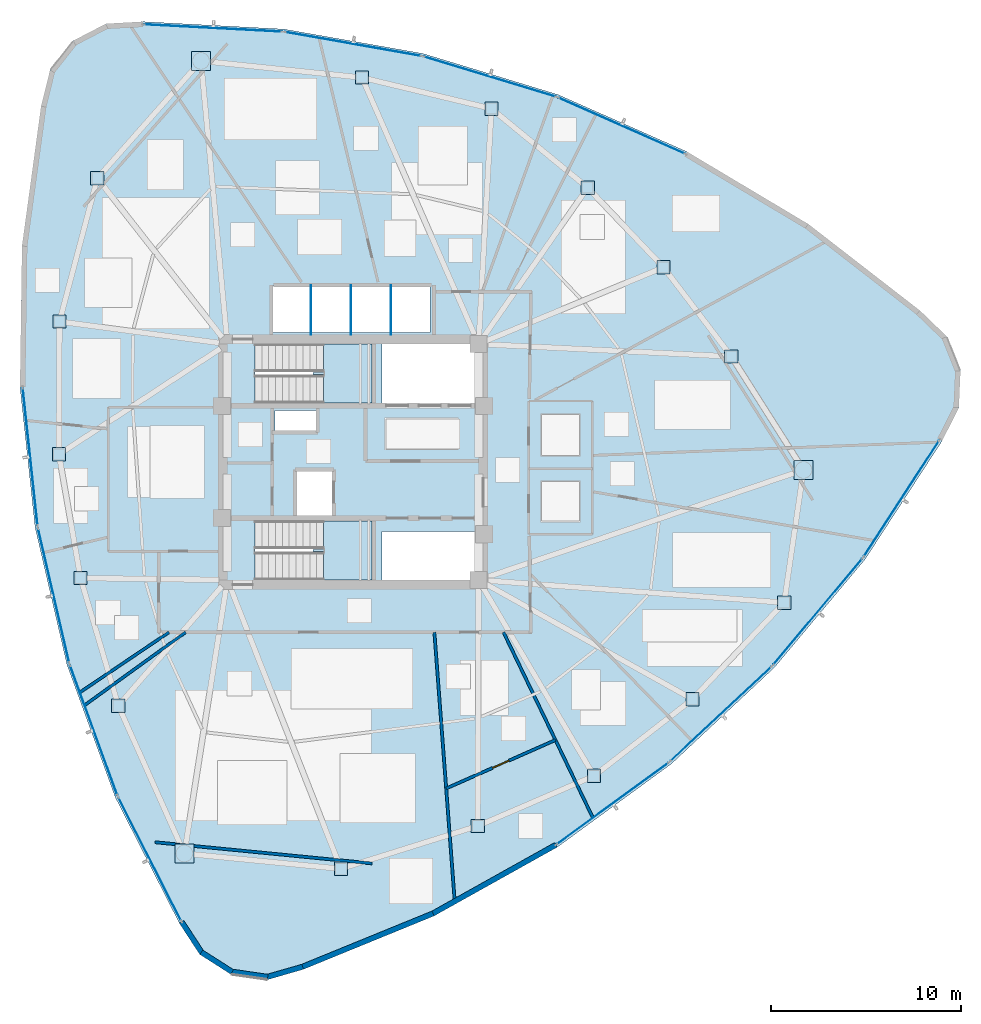
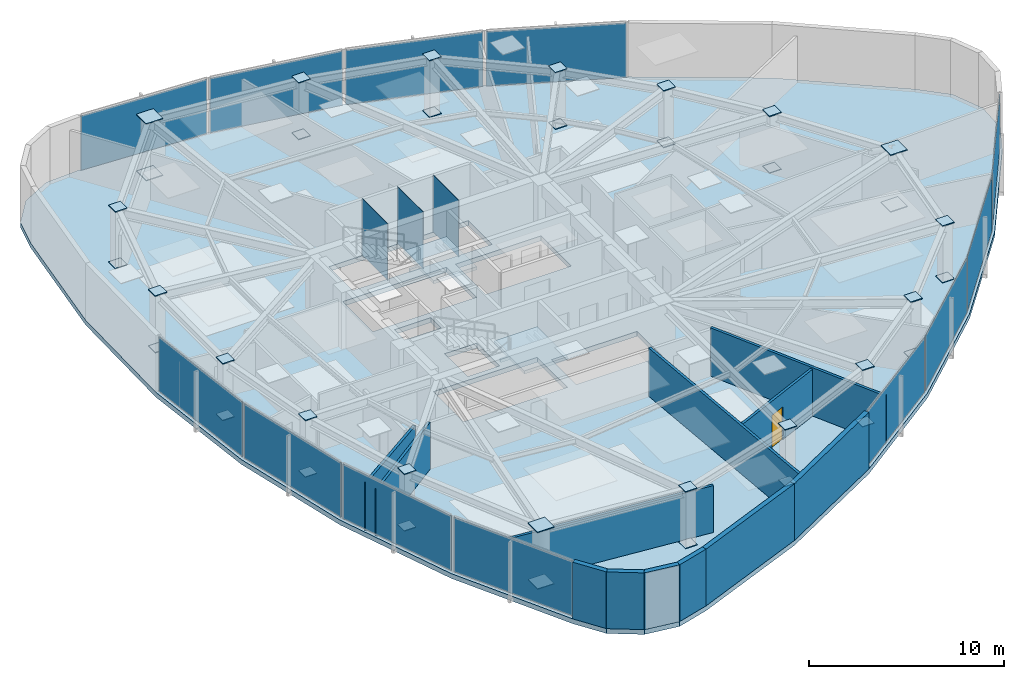
# One storey, part 10 of 17: 51 plates, 12 walls, 3 slabs, 1 door, 1 opening, 14 elements without a shape of their own.
"""IFC4 building model written with IfcOpenShell, lengths in metres."""

import ifcopenshell
import ifcopenshell.guid

model = None  # the IFC model being written
_history = None  # IfcOwnerHistory: only IFC2X3 demands one
_inside = {}  # id of a spatial element -> (the spatial element, [elements in it])
_under = {}  # id of a project, library or spatial element -> (it, [spatial elements below it])
_declared = {}  # id of a project -> (the project, [libraries it declares])
_typed = {}  # id of a type object -> (the type object, [elements of that type])
_made_of = {}  # id of a material, layer set ... -> (it, [elements and type objects made of it])


def new_model(schema):
    """Start an empty IFC model of exactly this schema.

    Asked for "IFC4X3", IfcOpenShell would pick the latest addendum, in which some entities
    have other attributes; the version numbers below select the first issue.
    IFC2X3 requires an IfcOwnerHistory on every rooted entity: one is made here for all.
    """
    global model, _history
    if schema == "IFC4X3":
        model = ifcopenshell.file(schema_version=(4, 3, 0, 0))
    else:
        model = ifcopenshell.file(schema=schema)
    _inside.clear()
    _under.clear()
    _declared.clear()
    _typed.clear()
    _made_of.clear()
    _history = None
    if model.schema == "IFC2X3":
        org = make("IfcOrganization", Name="unknown")
        user = make(
            "IfcPersonAndOrganization",
            ThePerson=make("IfcPerson", FamilyName="unknown"),
            TheOrganization=org,
        )
        app = make(
            "IfcApplication",
            ApplicationDeveloper=org,
            Version="unknown",
            ApplicationFullName="unknown",
            ApplicationIdentifier="unknown",
        )
        _history = make(
            "IfcOwnerHistory",
            OwningUser=user,
            OwningApplication=app,
            ChangeAction="ADDED",
            CreationDate=0,
        )
    return model


def make(cls, **values):
    """One entity of the class cls with the attributes given. An attribute that is None is left unset."""
    return model.create_entity(
        cls, **{name: value for name, value in values.items() if value is not None}
    )


def rooted(cls, **values):
    """An entity with a GlobalId (a new one), such as an element, a storey or a relation."""
    return make(cls, GlobalId=ifcopenshell.guid.new(), OwnerHistory=_history, **values)


def si_unit(unit_type, name, prefix=None):
    """IfcSIUnit, for example si_unit("LENGTHUNIT", "METRE", prefix="MILLI")."""
    return make("IfcSIUnit", UnitType=unit_type, Prefix=prefix, Name=name)


def assignment(units):
    """IfcUnitAssignment: the units of a project."""
    return None if units is None else make("IfcUnitAssignment", Units=units)


def point(xyz):
    """IfcCartesianPoint."""
    return None if xyz is None else make("IfcCartesianPoint", Coordinates=xyz)


def direction(xyz):
    """IfcDirection."""
    return None if xyz is None else make("IfcDirection", DirectionRatios=xyz)


def frame(location, z_axis=None, x_axis=None):
    """IfcAxis2Placement3D, a coordinate frame: its origin and axes. An axis left out is left unset."""
    return make(
        "IfcAxis2Placement3D",
        Location=point(location),
        Axis=direction(z_axis),
        RefDirection=direction(x_axis),
    )


def frame_2d(location, x_axis=None):
    """IfcAxis2Placement2D, a coordinate frame in the plane: its origin and x axis."""
    return make(
        "IfcAxis2Placement2D", Location=point(location), RefDirection=direction(x_axis)
    )


def origin():
    """The frame at (0, 0, 0) with its axes left unset."""
    return frame((0.0, 0.0, 0.0))


def origin_2d():
    """The frame at (0, 0) in the plane with its x axis left unset."""
    return frame_2d((0.0, 0.0))


def place(relative_to, where):
    """IfcLocalPlacement: puts the frame where relative to a parent placement (None: the world)."""
    return make(
        "IfcLocalPlacement", PlacementRelTo=relative_to, RelativePlacement=where
    )


def context(
    kind, dimensions, precision=None, world=None, true_north=None, identifier=None
):
    """IfcGeometricRepresentationContext, for example the 3D "Model" context."""
    return make(
        "IfcGeometricRepresentationContext",
        ContextIdentifier=identifier,
        ContextType=kind,
        CoordinateSpaceDimension=dimensions,
        Precision=precision,
        WorldCoordinateSystem=world,
        TrueNorth=true_north,
    )


def subcontext(parent, identifier, kind, view, scale=None):
    """IfcGeometricRepresentationSubContext, for example "Body" below "Model"."""
    return make(
        "IfcGeometricRepresentationSubContext",
        ContextIdentifier=identifier,
        ContextType=kind,
        ParentContext=parent,
        TargetScale=scale,
        TargetView=view,
    )


def project(units=None, contexts=None):
    """IfcProject with its units and contexts."""
    return rooted(
        "IfcProject",
        Name="project",
        RepresentationContexts=contexts,
        UnitsInContext=assignment(units),
    )


def spatial(cls, under=None, at=None, **own):
    """A site, building, storey or space (cls), placed at a placement, below another one or the project."""
    s = rooted(cls, ObjectPlacement=at, **own)
    if under is not None:
        _under.setdefault(under.id(), (under, []))[1].append(s)
    return s


def polyline(points):
    """IfcPolyline through the points."""
    return make("IfcPolyline", Points=[point(p) for p in points])


def profile(cls, at=None, kind="AREA", **sizes):
    """A parametric profile (cls). Its sizes go by their IFC names, for example OverallWidth=200.0."""
    return make(cls, ProfileType=kind, Position=at, **sizes)


def rectangle(**sizes):
    """IfcRectangleProfileDef."""
    return profile("IfcRectangleProfileDef", **sizes)


def outline(outer, holes=None, kind="AREA"):
    """IfcArbitraryClosedProfileDef: a profile drawn as a closed curve; with holes, ...WithVoids."""
    if holes is None:
        return make("IfcArbitraryClosedProfileDef", ProfileType=kind, OuterCurve=outer)
    return make(
        "IfcArbitraryProfileDefWithVoids",
        ProfileType=kind,
        OuterCurve=outer,
        InnerCurves=holes,
    )


def extrude(swept, where, along, depth):
    """IfcExtrudedAreaSolid: the profile swept, set in the frame where, extruded along a direction by depth."""
    return make(
        "IfcExtrudedAreaSolid",
        SweptArea=swept,
        Position=where,
        ExtrudedDirection=direction(along),
        Depth=depth,
    )


def shape(context_of_items, identifier, shape_type, items):
    """IfcShapeRepresentation: the items that make up one representation, for example the "Body"."""
    return make(
        "IfcShapeRepresentation",
        ContextOfItems=context_of_items,
        RepresentationIdentifier=identifier,
        RepresentationType=shape_type,
        Items=items,
    )


def source(mapping_origin, context_of_items, identifier, shape_type, items):
    """IfcRepresentationMap: a shape defined once, which mapped items show again and again."""
    return make(
        "IfcRepresentationMap",
        MappingOrigin=mapping_origin,
        MappedRepresentation=shape(context_of_items, identifier, shape_type, items),
    )


def transform(
    local_origin,
    x_axis=None,
    y_axis=None,
    z_axis=None,
    scale=None,
    scale2=None,
    scale3=None,
    uniform=True,
):
    """IfcCartesianTransformationOperator3D, or its non-uniform kind. x_axis, y_axis, z_axis: its Axis1, 2, 3."""
    if uniform:
        return make(
            "IfcCartesianTransformationOperator3D",
            Axis1=direction(x_axis),
            Axis2=direction(y_axis),
            LocalOrigin=point(local_origin),
            Scale=scale,
            Axis3=direction(z_axis),
        )
    return make(
        "IfcCartesianTransformationOperator3DnonUniform",
        Axis1=direction(x_axis),
        Axis2=direction(y_axis),
        LocalOrigin=point(local_origin),
        Scale=scale,
        Axis3=direction(z_axis),
        Scale2=scale2,
        Scale3=scale3,
    )


def mapped(mapping_source, mapping_target):
    """IfcMappedItem: shows the shape of a source again, moved by a transform."""
    return make(
        "IfcMappedItem", MappingSource=mapping_source, MappingTarget=mapping_target
    )


def material(Name=None, Category=None):
    """IfcMaterial."""
    return make("IfcMaterial", Name=Name, Category=Category)


def layer(
    of_material, thickness, ventilated=None, Name=None, Category=None, Priority=None
):
    """IfcMaterialLayer: one layer of a wall or slab, of a material (None: an air gap)."""
    return make(
        "IfcMaterialLayer",
        Material=of_material,
        LayerThickness=thickness,
        IsVentilated=ventilated,
        Name=Name,
        Category=Category,
        Priority=Priority,
    )


def layer_set(layers, Name=None):
    """IfcMaterialLayerSet."""
    return make("IfcMaterialLayerSet", MaterialLayers=layers, LayerSetName=Name)


def made_of(thing, what):
    """Note that an element or type object is made of a material, layer set ...; save() writes the relation."""
    if what is not None:
        _made_of.setdefault(what.id(), (what, []))[1].append(thing)
    return thing


def type_object(cls, material=None, **own):
    """A type object (cls), such as IfcWallType, which elements share."""
    return made_of(rooted(cls, **own), material)


def type_shapes(of_type, sources):
    """Give a type object the sources (RepresentationMaps) that its elements show as mapped items."""
    of_type.RepresentationMaps = sources


def element(
    cls,
    number,
    at=None,
    inside=None,
    cuts=None,
    type_object=None,
    material=None,
    context=None,
    identifier="Body",
    shape_type=None,
    held_by="IfcProductDefinitionShape",
    body=None,
    shapes=None,
    **own,
):
    """One element of the class cls, such as IfcWall. Its Tag is "e" and its number.

    at: its placement. inside: the storey or other place that contains it. cuts: it is an
    opening in that element (IfcRelVoidsElement). A single representation is given by context,
    identifier, shape_type and body (its items); several are given by shapes. held_by: the class
    of the entity that holds the representations. save() writes the other relations.
    """
    e = rooted(cls, Tag="e%d" % number, ObjectPlacement=at, **own)
    if body is not None:
        shapes = [shape(context, identifier, shape_type, body)]
    if shapes is not None:
        e.Representation = make(held_by, Representations=shapes)
    if inside is not None:
        _inside.setdefault(inside.id(), (inside, []))[1].append(e)
    if cuts is not None:
        rooted(
            "IfcRelVoidsElement", RelatingBuildingElement=cuts, RelatedOpeningElement=e
        )
    if type_object is not None:
        _typed.setdefault(type_object.id(), (type_object, []))[1].append(e)
    return made_of(e, material)


def fill(opening, filler):
    """IfcRelFillsElement: the door or window that sits in an opening."""
    return rooted(
        "IfcRelFillsElement",
        RelatingOpeningElement=opening,
        RelatedBuildingElement=filler,
    )


def aggregate(whole, parts):
    """IfcRelAggregates: a whole, such as a stair, and the parts it consists of."""
    return rooted("IfcRelAggregates", RelatingObject=whole, RelatedObjects=parts)


def save(model, path):
    """Write the relations noted so far, then the file.

    IfcRelAggregates (storeys below a building ...), IfcRelContainedInSpatialStructure (elements
    in a storey), IfcRelDefinesByType, IfcRelAssociatesMaterial and IfcRelDeclares: one each for
    every whole, place, type object, material and project.
    """
    for whole, parts in _under.values():
        aggregate(whole, parts)
    for where, things in _inside.values():
        rooted(
            "IfcRelContainedInSpatialStructure",
            RelatedElements=things,
            RelatingStructure=where,
        )
    for kind, things in _typed.values():
        rooted("IfcRelDefinesByType", RelatedObjects=things, RelatingType=kind)
    for what, things in _made_of.values():
        rooted("IfcRelAssociatesMaterial", RelatedObjects=things, RelatingMaterial=what)
    for by, libraries in _declared.values():
        rooted("IfcRelDeclares", RelatingContext=by, RelatedDefinitions=libraries)
    model.write(path)


model = new_model("IFC4")

# Units and contexts
model_context = context("Model", 3, precision=1e-05, world=origin(), true_north=direction((0.0, 1.0)))
body_context = subcontext(model_context, "Body", "Model", "MODEL_VIEW")
ifc_project = project(units=[si_unit("LENGTHUNIT", "METRE"), si_unit("AREAUNIT", "SQUARE_METRE"), si_unit("VOLUMEUNIT", "CUBIC_METRE"), si_unit("PLANEANGLEUNIT", "RADIAN"), si_unit("MASSUNIT", "GRAM", prefix="KILO")], contexts=[model_context])

# Site, building, storey
site_placement = place(None, origin())
site = spatial("IfcSite", under=ifc_project, at=site_placement, CompositionType="ELEMENT")
building_placement = place(site_placement, origin())
building = spatial("IfcBuilding", under=site, at=building_placement, Name="Tavelor Broadcast Tower", CompositionType="ELEMENT")
storey_placement = place(building_placement, frame((0.0, 0.0, 200.300048828125)))
storey = spatial("IfcBuildingStorey", under=building, at=storey_placement, Name="L48", CompositionType="ELEMENT", Elevation=200.300048828125)

# Stair, slab
ifc_material_1 = material(Name="Concrete C40/50", Category="concrete")
stair_type = type_object("IfcStairType", Name="Reinforced Concrete Protected Dogleg Stair 1450 mm", PredefinedType="HALF_TURN_STAIR", material=ifc_material_1)
stair_1_placement = place(storey_placement, origin())
stair_1 = element("IfcStair", 1, at=stair_1_placement, inside=storey, type_object=stair_type, Name="L48 Protected Core Exit Stair ST1", PredefinedType="HALF_TURN_STAIR")
ifc_layer_1 = layer(ifc_material_1, 0.199951171875)
ifc_layer_set_1 = layer_set([ifc_layer_1], Name="Concrete C40/50")
slab_type_1 = type_object("IfcSlabType", Name="Reinforced Concrete Stair Half-Landing Slab 200 mm", PredefinedType="LANDING", material=ifc_layer_set_1)
slab_1_placement = place(storey_placement, frame((0.0, 0.0, 1.724853515625)))
slab_1 = element("IfcSlab", 2, at=slab_1_placement, type_object=slab_type_1, Name="ST1 landing 1", PredefinedType="LANDING", context=body_context, shape_type="SweptSolid", body=[
    extrude(outline(polyline([(48.445068359375, 49.590087890625), (48.445068359375, 48.094970703125), (51.0048828125, 48.094970703125), (51.0048828125, 51.205078125), (48.445068359375, 51.205078125), (48.445068359375, 49.7099609375), (47.905029296875, 49.7099609375), (47.905029296875, 49.590087890625), (48.445068359375, 49.590087890625)])), origin(), (0.0, 0.0, 1.0), 0.2001953125),
])
aggregate(stair_1, [slab_1])

stair_2_placement = place(storey_placement, origin())
stair_2 = element("IfcStair", 3, at=stair_2_placement, inside=storey, type_object=stair_type, Name="L48 Protected Core Exit Stair ST2", PredefinedType="HALF_TURN_STAIR")
slab_2_placement = place(storey_placement, frame((0.0, 0.0, 1.724853515625)))
slab_2 = element("IfcSlab", 4, at=slab_2_placement, type_object=slab_type_1, Name="ST2 landing 1", PredefinedType="LANDING", context=body_context, shape_type="SweptSolid", body=[
    extrude(outline(polyline([(48.445068359375, 40.2900390625), (48.445068359375, 38.794921875), (51.0048828125, 38.794921875), (51.0048828125, 41.905029296875), (48.445068359375, 41.905029296875), (48.445068359375, 40.409912109375), (47.905029296875, 40.409912109375), (47.905029296875, 40.2900390625), (48.445068359375, 40.2900390625)])), origin(), (0.0, 0.0, 1.0), 0.2001953125),
])
aggregate(stair_2, [slab_2])

# Slab
ifc_layer_2 = layer(ifc_material_1, 0.300048828125)
ifc_layer_set_2 = layer_set([ifc_layer_2], Name="Concrete C40/50")
slab_type_2 = type_object("IfcSlabType", Name="Tower Composite Floor Slab 300 mm", PredefinedType="FLOOR", material=ifc_layer_set_2)
slab_3_placement = place(storey_placement, frame((0.0, 0.0, -0.300048828125)))
element("IfcSlab", 5, at=slab_3_placement, inside=storey, type_object=slab_type_2, Name="L48 Structural Floor Slab", PredefinedType="FLOOR", context=body_context, shape_type="SweptSolid", body=[
    extrude(outline(polyline([(38.964111328125, 68.141357421875), (37.017578125, 68.0341796875), (35.287841796875, 67.135498046875), (34.0810546875, 65.604736328125), (33.611083984375, 63.712890625), (32.607177734375, 56.361328125), (32.500244140625, 48.9423828125), (33.291748046875, 41.565185546875), (34.970458984375, 34.337890625), (37.51123046875, 27.36669921875), (40.876953125, 20.75439453125), (41.94287109375, 19.122314453125), (43.586181640625, 18.073486328125), (45.515380859375, 17.793701171875), (47.388671875, 18.33251953125), (54.257080078125, 21.138916015625), (60.735595703125, 24.755859375), (66.728759765625, 29.1298828125), (72.148681640625, 34.197509765625), (76.915283203125, 39.88330078125), (80.958984375, 46.1044921875), (81.83935546875, 47.843505859375), (81.926025390625, 49.791015625), (81.20361328125, 51.6015625), (79.80029296875, 52.95458984375), (73.935791015625, 57.49951171875), (67.564208984375, 61.3017578125), (60.779296875, 64.3046875), (53.68115234375, 66.46484375), (46.37353515625, 67.75), (38.964111328125, 68.141357421875)]), holes=[polyline([(56.60009765625, 41.35009765625), (56.60009765625, 38.800048828125), (51.52001953125, 38.800048828125), (51.52001953125, 41.35009765625), (56.60009765625, 41.35009765625)]), polyline([(50.99609375, 38.803955078125), (44.85400390625, 38.803955078125), (44.85400390625, 41.89599609375), (50.99609375, 41.89599609375), (50.99609375, 38.803955078125)]), polyline([(47.050048828125, 42.199951171875), (47.050048828125, 44.550048828125), (48.949951171875, 44.550048828125), (48.949951171875, 42.199951171875), (47.050048828125, 42.199951171875)]), polyline([(48.050048828125, 46.64990234375), (45.89990234375, 46.64990234375), (45.89990234375, 47.699951171875), (48.050048828125, 47.699951171875), (48.050048828125, 46.64990234375)]), polyline([(50.99609375, 48.10400390625), (44.85400390625, 48.10400390625), (44.85400390625, 51.196044921875), (50.99609375, 51.196044921875), (50.99609375, 48.10400390625)]), polyline([(56.60009765625, 48.10009765625), (51.52001953125, 48.10009765625), (51.52001953125, 51.199951171875), (56.60009765625, 51.199951171875), (56.60009765625, 48.10009765625)]), polyline([(54.050048828125, 51.800048828125), (45.800048828125, 51.800048828125), (45.800048828125, 54.25), (54.050048828125, 54.25), (54.050048828125, 51.800048828125)])]), origin(), (0.0, 0.0, 1.0), 0.300048828125),
])

# Plates
ifc_material_2 = material(Name="Steel S460", Category="steel")
ifc_layer_3 = layer(ifc_material_2, 0.050048828125)
ifc_layer_set_3 = layer_set([ifc_layer_3], Name="Steel S460")
plate_type_1 = type_object("IfcPlateType", Name="Tube Hollow-End Cap Plate KN05 700x700x50", PredefinedType="USERDEFINED", material=ifc_layer_set_3)
shared_shape_1 = source(origin(), body_context, "Body", "SweptSolid", [
    extrude(rectangle(XDim=0.699951171875, YDim=0.699951171875, at=origin_2d()), origin(), (0.0, 0.0, 1.0), 0.054931640625),
])
for number, where, z_axis, x_axis, name in (
    (6, (36.567626953125, 59.91064453125, -0.02734375), (0.0, 0.0, 1.0), (1.0, 0.0, 0.0), "L48 Hollow End Cap Plate KN05 #1361"),
    (7, (36.567626953125, 59.91064453125, 3.5224609375), (0.0, 0.0, 1.0), (1.0, 0.0, 0.0), "L48 Hollow End Cap Plate KN05 #1362"),
    (8, (34.5751953125, 52.37939453125, -0.02734375), (0.0, 0.0, 1.0), (1.0, 0.0, 0.0), "L48 Hollow End Cap Plate KN05 #1363"),
    (9, (34.5751953125, 52.37939453125, 3.5224609375), (0.0, 0.0, 1.0), (1.0, 0.0, 0.0), "L48 Hollow End Cap Plate KN05 #1364"),
    (10, (34.54638671875, 45.399169921875, -0.02734375), (0.0, 0.0, 1.0), (1.0, 0.0, 0.0), "L48 Hollow End Cap Plate KN05 #1365"),
    (11, (34.54638671875, 45.399169921875, 3.5224609375), (0.0, 0.0, 1.0), (1.0, 0.0, 0.0), "L48 Hollow End Cap Plate KN05 #1366"),
    (12, (35.680908203125, 38.89990234375, -0.02734375), (0.0, 0.0, 1.0), (1.0, 0.0, 0.0), "L48 Hollow End Cap Plate KN05 #1367"),
    (13, (35.680908203125, 38.89990234375, 3.5224609375), (0.0, 0.0, 1.0), (1.0, 0.0, 0.0), "L48 Hollow End Cap Plate KN05 #1368"),
    (14, (37.668212890625, 32.1904296875, -0.02734375), (0.0, 0.0, 1.0), (1.0, 0.0, 0.0), "L48 Hollow End Cap Plate KN05 #1369"),
    (15, (37.668212890625, 32.1904296875, 3.5224609375), (0.0, 0.0, 1.0), (1.0, 0.0, 0.0), "L48 Hollow End Cap Plate KN05 #1370"),
    (16, (49.366455078125, 23.618896484375, -0.02734375), (0.0, 0.0, 1.0), (1.0, 0.0, 0.0), "L48 Hollow End Cap Plate KN05 #1373"),
    (17, (49.366455078125, 23.618896484375, 3.5224609375), (0.0, 0.0, 1.0), (1.0, 0.0, 0.0), "L48 Hollow End Cap Plate KN05 #1374"),
    (18, (56.56103515625, 25.872802734375, -0.02734375), (0.0, 0.0, 1.0), (1.0, 0.0, 0.0), "L48 Hollow End Cap Plate KN05 #1375"),
    (19, (56.56103515625, 25.872802734375, 3.5224609375), (0.0, 0.0, 1.0), (1.0, 0.0, 0.0), "L48 Hollow End Cap Plate KN05 #1376"),
    (20, (62.669189453125, 28.503173828125, -0.02734375), (0.0, 0.0, 1.0), (1.0, 0.0, 0.0), "L48 Hollow End Cap Plate KN05 #1377"),
    (21, (62.669189453125, 28.503173828125, 3.5224609375), (0.0, 0.0, 1.0), (1.0, 0.0, 0.0), "L48 Hollow End Cap Plate KN05 #1378"),
    (22, (67.84228515625, 32.53173828125, -0.02734375), (0.0, 0.0, 1.0), (1.0, 0.0, 0.0), "L48 Hollow End Cap Plate KN05 #1379"),
    (23, (67.84228515625, 32.53173828125, 3.5224609375), (0.0, 0.0, 1.0), (1.0, 0.0, 0.0), "L48 Hollow End Cap Plate KN05 #1380"),
    (24, (72.6591796875, 37.607421875, -0.02734375), (0.0, 0.0, 1.0), (1.0, 0.0, 0.0), "L48 Hollow End Cap Plate KN05 #1381"),
    (25, (72.6591796875, 37.607421875, 3.5224609375), (0.0, 0.0, 1.0), (1.0, 0.0, 0.0), "L48 Hollow End Cap Plate KN05 #1382"),
    (26, (69.885986328125, 50.544189453125, -0.02734375), (0.0, 0.0, 1.0), (1.0, 0.0, 0.0), "L48 Hollow End Cap Plate KN05 #1385"),
    (27, (69.885986328125, 50.544189453125, 3.5224609375), (0.0, 0.0, 1.0), (1.0, 0.0, 0.0), "L48 Hollow End Cap Plate KN05 #1386"),
    (28, (66.322021484375, 55.228759765625, -0.02734375), (0.0, 0.0, 1.0), (1.0, 0.0, 0.0), "L48 Hollow End Cap Plate KN05 #1387"),
    (29, (66.322021484375, 55.228759765625, 3.5224609375), (0.0, 0.0, 1.0), (1.0, 0.0, 0.0), "L48 Hollow End Cap Plate KN05 #1388"),
    (30, (62.330810546875, 59.416259765625, -0.02734375), (0.0, 0.0, 1.0), (1.0, 0.0, 0.0), "L48 Hollow End Cap Plate KN05 #1389"),
    (31, (62.330810546875, 59.416259765625, 3.5224609375), (0.0, 0.0, 1.0), (1.0, 0.0, 0.0), "L48 Hollow End Cap Plate KN05 #1390"),
    (32, (57.276611328125, 63.568359375, -0.02734375), (0.0, 0.0, 1.0), (1.0, 0.0, 0.0), "L48 Hollow End Cap Plate KN05 #1391"),
    (33, (57.276611328125, 63.568359375, 3.5224609375), (0.0, 0.0, 1.0), (1.0, 0.0, 0.0), "L48 Hollow End Cap Plate KN05 #1392"),
    (34, (50.472412109375, 65.2021484375, -0.02734375), (0.0, 0.0, 1.0), (1.0, 0.0, 0.0), "L48 Hollow End Cap Plate KN05 #1393"),
    (35, (50.472412109375, 65.2021484375, 3.5224609375), (0.0, 0.0, 1.0), (1.0, 0.0, 0.0), "L48 Hollow End Cap Plate KN05 #1394"),
):
    element("IfcPlate", number, at=place(storey_placement, frame(where, z_axis=z_axis, x_axis=x_axis)), inside=storey, type_object=plate_type_1, Name=name, ObjectType="CAP PLATE", PredefinedType="USERDEFINED", context=body_context, shape_type="MappedRepresentation", body=[
        mapped(shared_shape_1, transform((0.0, 0.0, 0.0), scale=1.0)),
    ])
shared_shape_2 = source(origin(), body_context, "Body", "SweptSolid", [
    extrude(rectangle(XDim=0.993896484375, YDim=0.993896484375, at=origin_2d()), origin(), (0.0, 0.0, 1.0), 0.054931640625),
])
type_shapes(plate_type_1, [shared_shape_1, shared_shape_2])
for number, where, z_axis, x_axis, name in (
    (36, (42.01123046875, 66.080078125, -0.02734375), (0.0, 0.0, 1.0), (1.0, 0.0, 0.0), "L48 Hollow End Cap Plate KN05 #1359"),
    (37, (42.01123046875, 66.080078125, 3.5224609375), (0.0, 0.0, 1.0), (1.0, 0.0, 0.0), "L48 Hollow End Cap Plate KN05 #1360"),
    (38, (41.138671875, 24.423828125, -0.02734375), (0.0, 0.0, 1.0), (1.0, 0.0, 0.0), "L48 Hollow End Cap Plate KN05 #1371"),
    (39, (41.138671875, 24.423828125, 3.5224609375), (0.0, 0.0, 1.0), (1.0, 0.0, 0.0), "L48 Hollow End Cap Plate KN05 #1372"),
    (40, (73.676025390625, 44.57958984375, -0.02734375), (0.0, 0.0, 1.0), (1.0, 0.0, 0.0), "L48 Hollow End Cap Plate KN05 #1383"),
    (41, (73.676025390625, 44.57958984375, 3.5224609375), (0.0, 0.0, 1.0), (1.0, 0.0, 0.0), "L48 Hollow End Cap Plate KN05 #1384"),
):
    element("IfcPlate", number, at=place(storey_placement, frame(where, z_axis=z_axis, x_axis=x_axis)), inside=storey, type_object=plate_type_1, Name=name, ObjectType="CAP PLATE", PredefinedType="USERDEFINED", context=body_context, shape_type="MappedRepresentation", body=[
        mapped(shared_shape_2, transform((0.0, 0.0, 0.0), scale=1.0)),
    ])
ifc_material_3 = material(Name="Steel S355", Category="steel")
ifc_layer_4 = layer(ifc_material_3, 0.011962890625)
ifc_layer_set_4 = layer_set([ifc_layer_4], Name="Steel S355")
plate_type_2 = type_object("IfcPlateType", Name="Hoistway Steel Separator Screen 12 mm", PredefinedType="SHEET", material=ifc_layer_set_4)
shared_shape_3 = source(origin(), body_context, "Body", "SweptSolid", [
    extrude(rectangle(XDim=0.02001953125, YDim=2.6201171875, at=origin_2d()), origin(), (0.0, 0.0, 1.0), 3.550048828125),
])
type_shapes(plate_type_2, [shared_shape_3])
for number, where, z_axis, x_axis, name in (
    (42, (47.800048828125, 52.989990234375, 0.0), (0.0, 0.0, 1.0), (1.0, 0.0, 0.0), "L48 High-Rise Hoistway Separator Screen 1"),
    (43, (49.89990234375, 52.989990234375, 0.0), (0.0, 0.0, 1.0), (1.0, 0.0, 0.0), "L48 High-Rise Hoistway Separator Screen 2"),
    (44, (52.0, 52.989990234375, 0.0), (0.0, 0.0, 1.0), (1.0, 0.0, 0.0), "L48 High-Rise Hoistway Separator Screen 3"),
):
    element("IfcPlate", number, at=place(storey_placement, frame(where, z_axis=z_axis, x_axis=x_axis)), inside=storey, type_object=plate_type_2, Name=name, PredefinedType="SHEET", context=body_context, shape_type="MappedRepresentation", body=[
        mapped(shared_shape_3, transform((0.0, 0.0, 0.0), scale=1.0)),
    ])

# Curtain wall, plate
ifc_material_4 = material(Name="Architectural Anodized Aluminium", Category="aluminium")
ifc_layer_5 = layer(ifc_material_4, 0.18994140625)
ifc_layer_set_5 = layer_set([ifc_layer_5], Name="Architectural Anodized Aluminium")
curtain_wall_type = type_object("IfcCurtainWallType", Name="Tower Mid-Zone Acoustic Curtain Wall CW03", PredefinedType="NOTDEFINED", material=ifc_layer_set_5)
curtain_wall_1_placement = place(storey_placement, origin())
curtain_wall_1 = element("IfcCurtainWall", 45, at=curtain_wall_1_placement, inside=storey, type_object=curtain_wall_type, Name="L48 Curtain Wall CW03 Run 517", PredefinedType="NOTDEFINED")
ifc_material_5 = material(Name="Solar Control Double Glazing 30 mm", Category="glass")
ifc_layer_6 = layer(ifc_material_5, 0.030029296875)
ifc_layer_set_6 = layer_set([ifc_layer_6], Name="Solar Control Double Glazing 30 mm")
plate_type_3 = type_object("IfcPlateType", Name="CW03 Insulated Vision Glazing Panel 30 mm", PredefinedType="CURTAIN_PANEL", material=ifc_layer_set_6)
shared_shape_4 = source(origin(), body_context, "Body", "SweptSolid", [
    extrude(rectangle(XDim=7.251708984375, YDim=0.030029296875, at=origin_2d()), origin(), (0.0, 0.0, 1.0), 3.4140625),
])
plate_1_placement = place(storey_placement, frame((33.034423828125, 45.276123046875, 0.06787109375), z_axis=(0.0, 0.0, 1.0), x_axis=(0.106689886013, -0.994292345451, 0.0)))
plate_1 = element("IfcPlate", 46, at=plate_1_placement, type_object=plate_type_3, Name="CW03 panel 1.1", PredefinedType="CURTAIN_PANEL", context=body_context, shape_type="MappedRepresentation", body=[
    mapped(shared_shape_4, transform((0.0, 0.0, 0.0), scale=1.0)),
])
aggregate(curtain_wall_1, [plate_1])

curtain_wall_2_placement = place(storey_placement, origin())
curtain_wall_2 = element("IfcCurtainWall", 47, at=curtain_wall_2_placement, inside=storey, type_object=curtain_wall_type, Name="L48 Curtain Wall CW03 Run 521", PredefinedType="NOTDEFINED")
plate_2_placement = place(storey_placement, frame((63.6435546875, 27.051513671875, 0.06787109375), z_axis=(0.0, 0.0, 1.0), x_axis=(0.80774513089, 0.589531851152, 0.0)))
plate_2 = element("IfcPlate", 48, at=plate_2_placement, type_object=plate_type_3, Name="CW03 panel 1.1", PredefinedType="CURTAIN_PANEL", context=body_context, shape_type="MappedRepresentation", body=[
    mapped(shared_shape_4, transform((0.0, 0.0, 0.0), scale=1.0)),
])
aggregate(curtain_wall_2, [plate_2])

curtain_wall_3_placement = place(storey_placement, origin())
curtain_wall_3 = element("IfcCurtainWall", 49, at=curtain_wall_3_placement, inside=storey, type_object=curtain_wall_type, Name="L48 Curtain Wall CW03 Run 525", PredefinedType="NOTDEFINED")
plate_3_placement = place(storey_placement, frame((64.1220703125, 62.672119140625, 0.06787109375), z_axis=(0.0, 0.0, 1.0), x_axis=(-0.914427839299, 0.404748967527, 0.0)))
plate_3 = element("IfcPlate", 50, at=plate_3_placement, type_object=plate_type_3, Name="CW03 panel 1.1", PredefinedType="CURTAIN_PANEL", context=body_context, shape_type="MappedRepresentation", body=[
    mapped(shared_shape_4, transform((0.0, 0.0, 0.0), scale=1.0)),
])
aggregate(curtain_wall_3, [plate_3])

curtain_wall_4_placement = place(storey_placement, origin())
curtain_wall_4 = element("IfcCurtainWall", 51, at=curtain_wall_4_placement, inside=storey, type_object=curtain_wall_type, Name="L48 Curtain Wall CW03 Run 518", PredefinedType="NOTDEFINED")
shared_shape_5 = source(origin(), body_context, "Body", "SweptSolid", [
    extrude(rectangle(XDim=7.236572265625, YDim=0.030029296875, at=origin_2d()), origin(), (0.0, 0.0, 1.0), 3.4140625),
])
plate_4_placement = place(storey_placement, frame((34.267578125, 37.983154296875, 0.06787109375), z_axis=(0.0, 0.0, 1.0), x_axis=(0.22624116953, -0.974071318338, 0.0)))
plate_4 = element("IfcPlate", 52, at=plate_4_placement, type_object=plate_type_3, Name="CW03 panel 1.1", PredefinedType="CURTAIN_PANEL", context=body_context, shape_type="MappedRepresentation", body=[
    mapped(shared_shape_5, transform((0.0, 0.0, 0.0), scale=1.0)),
])
aggregate(curtain_wall_4, [plate_4])

curtain_wall_5_placement = place(storey_placement, origin())
curtain_wall_5 = element("IfcCurtainWall", 53, at=curtain_wall_5_placement, inside=storey, type_object=curtain_wall_type, Name="L48 Curtain Wall CW03 Run 523", PredefinedType="NOTDEFINED")
plate_5_placement = place(storey_placement, frame((74.424560546875, 37.13037109375, 0.06787109375), z_axis=(0.0, 0.0, 1.0), x_axis=(0.642442978052, 0.766333491341, 0.0)))
plate_5 = element("IfcPlate", 54, at=plate_5_placement, type_object=plate_type_3, Name="CW03 panel 1.1", PredefinedType="CURTAIN_PANEL", context=body_context, shape_type="MappedRepresentation", body=[
    mapped(shared_shape_5, transform((0.0, 0.0, 0.0), scale=1.0)),
])
aggregate(curtain_wall_5, [plate_5])

curtain_wall_6_placement = place(storey_placement, origin())
curtain_wall_6 = element("IfcCurtainWall", 55, at=curtain_wall_6_placement, inside=storey, type_object=curtain_wall_type, Name="L48 Curtain Wall CW03 Run 519", PredefinedType="NOTDEFINED")
shared_shape_6 = source(origin(), body_context, "Body", "SweptSolid", [
    extrude(rectangle(XDim=7.23681640625, YDim=0.030029296875, at=origin_2d()), origin(), (0.0, 0.0, 1.0), 3.4140625),
])
plate_6_placement = place(storey_placement, frame((36.372314453125, 30.900146484375, 0.06787109375), z_axis=(0.0, 0.0, 1.0), x_axis=(0.342436686529, -0.93954090689, 0.0)))
plate_6 = element("IfcPlate", 56, at=plate_6_placement, type_object=plate_type_3, Name="CW03 panel 1.1", PredefinedType="CURTAIN_PANEL", context=body_context, shape_type="MappedRepresentation", body=[
    mapped(shared_shape_6, transform((0.0, 0.0, 0.0), scale=1.0)),
])
aggregate(curtain_wall_6, [plate_6])

curtain_wall_7_placement = place(storey_placement, origin())
curtain_wall_7 = element("IfcCurtainWall", 57, at=curtain_wall_7_placement, inside=storey, type_object=curtain_wall_type, Name="L48 Curtain Wall CW03 Run 522", PredefinedType="NOTDEFINED")
plate_7_placement = place(storey_placement, frame((69.343017578125, 31.765869140625, 0.06787109375), z_axis=(0.0, 0.0, 1.0), x_axis=(0.730451033709, 0.682965070376, 0.0)))
plate_7 = element("IfcPlate", 58, at=plate_7_placement, type_object=plate_type_3, Name="CW03 panel 1.1", PredefinedType="CURTAIN_PANEL", context=body_context, shape_type="MappedRepresentation", body=[
    mapped(shared_shape_6, transform((0.0, 0.0, 0.0), scale=1.0)),
])
aggregate(curtain_wall_7, [plate_7])

curtain_wall_8_placement = place(storey_placement, origin())
curtain_wall_8 = element("IfcCurtainWall", 59, at=curtain_wall_8_placement, inside=storey, type_object=curtain_wall_type, Name="L48 Curtain Wall CW03 Run 526", PredefinedType="NOTDEFINED")
plate_8_placement = place(storey_placement, frame((57.189453125, 65.250732421875, 0.06787109375), z_axis=(0.0, 0.0, 1.0), x_axis=(-0.956688498712, 0.291113579951, 0.0)))
plate_8 = element("IfcPlate", 60, at=plate_8_placement, type_object=plate_type_3, Name="CW03 panel 1.1", PredefinedType="CURTAIN_PANEL", context=body_context, shape_type="MappedRepresentation", body=[
    mapped(shared_shape_6, transform((0.0, 0.0, 0.0), scale=1.0)),
])
aggregate(curtain_wall_8, [plate_8])

curtain_wall_9_placement = place(storey_placement, origin())
curtain_wall_9 = element("IfcCurtainWall", 61, at=curtain_wall_9_placement, inside=storey, type_object=curtain_wall_type, Name="L48 Curtain Wall CW03 Run 527", PredefinedType="NOTDEFINED")
plate_9_placement = place(storey_placement, frame((50.0029296875, 66.969482421875, 0.06787109375), z_axis=(0.0, 0.0, 1.0), x_axis=(-0.984885660639, 0.173205760492, 0.0)))
plate_9 = element("IfcPlate", 62, at=plate_9_placement, type_object=plate_type_3, Name="CW03 panel 1.1", PredefinedType="CURTAIN_PANEL", context=body_context, shape_type="MappedRepresentation", body=[
    mapped(shared_shape_6, transform((0.0, 0.0, 0.0), scale=1.0)),
])
aggregate(curtain_wall_9, [plate_9])

curtain_wall_10_placement = place(storey_placement, origin())
curtain_wall_10 = element("IfcCurtainWall", 63, at=curtain_wall_10_placement, inside=storey, type_object=curtain_wall_type, Name="L48 Curtain Wall CW03 Run 520", PredefinedType="NOTDEFINED")
shared_shape_7 = source(origin(), body_context, "Body", "SweptSolid", [
    extrude(rectangle(XDim=7.252685546875, YDim=0.030029296875, at=origin_2d()), origin(), (0.0, 0.0, 1.0), 3.4140625),
])
type_shapes(plate_type_3, [shared_shape_4, shared_shape_5, shared_shape_6, shared_shape_7])
plate_10_placement = place(storey_placement, frame((39.322509765625, 24.116943359375, 0.06787109375), z_axis=(0.0, 0.0, 1.0), x_axis=(0.453622653137, -0.891193855769, 0.0)))
plate_10 = element("IfcPlate", 64, at=plate_10_placement, type_object=plate_type_3, Name="CW03 panel 1.1", PredefinedType="CURTAIN_PANEL", context=body_context, shape_type="MappedRepresentation", body=[
    mapped(shared_shape_7, transform((0.0, 0.0, 0.0), scale=1.0)),
])
aggregate(curtain_wall_10, [plate_10])

curtain_wall_11_placement = place(storey_placement, origin())
curtain_wall_11 = element("IfcCurtainWall", 65, at=curtain_wall_11_placement, inside=storey, type_object=curtain_wall_type, Name="L48 Curtain Wall CW03 Run 524", PredefinedType="NOTDEFINED")
plate_11_placement = place(storey_placement, frame((78.823974609375, 43.076904296875, 0.06787109375), z_axis=(0.0, 0.0, 1.0), x_axis=(0.544983593381, 0.838446708471, 0.0)))
plate_11 = element("IfcPlate", 66, at=plate_11_placement, type_object=plate_type_3, Name="CW03 panel 1.1", PredefinedType="CURTAIN_PANEL", context=body_context, shape_type="MappedRepresentation", body=[
    mapped(shared_shape_7, transform((0.0, 0.0, 0.0), scale=1.0)),
])
aggregate(curtain_wall_11, [plate_11])

curtain_wall_12_placement = place(storey_placement, origin())
curtain_wall_12 = element("IfcCurtainWall", 67, at=curtain_wall_12_placement, inside=storey, type_object=curtain_wall_type, Name="L48 Curtain Wall CW03 Run 528", PredefinedType="NOTDEFINED")
plate_12_placement = place(storey_placement, frame((42.653564453125, 67.80615234375, 0.06787109375), z_axis=(0.0, 0.0, 1.0), x_axis=(-0.998608091418, 0.052743528079, 0.0)))
plate_12 = element("IfcPlate", 68, at=plate_12_placement, type_object=plate_type_3, Name="CW03 panel 1.1", PredefinedType="CURTAIN_PANEL", context=body_context, shape_type="MappedRepresentation", body=[
    mapped(shared_shape_7, transform((0.0, 0.0, 0.0), scale=1.0)),
])
aggregate(curtain_wall_12, [plate_12])

# Walls
ifc_material_6 = material(Name="Precast Concrete C40/50", Category="concrete")
ifc_layer_7 = layer(ifc_material_6, 0.280029296875)
ifc_layer_set_7 = layer_set([ifc_layer_7], Name="Precast Concrete C40/50")
wall_type_1 = type_object("IfcWallType", Name="Insulated Precast Terracotta Facade Wall 280 mm", PredefinedType="STANDARD", material=ifc_layer_set_7)
wall_1_placement = place(storey_placement, frame((40.99609375, 20.827880859375, 0.0), z_axis=(0.0, 0.0, 1.0), x_axis=(0.54679613753, -0.837265778581, 0.0)))
element("IfcWall", 69, at=wall_1_placement, inside=storey, type_object=wall_type_1, Name="L48 Rounded Corner Structural Cladding Pier 11", PredefinedType="STANDARD", context=body_context, shape_type="SweptSolid", body=[
    extrude(rectangle(XDim=1.9306640625, YDim=0.280029296875, at=frame_2d((0.96533203125, 0.0))), origin(), (0.0, 0.0, 1.0), 3.550048828125),
])
for number, where, z_axis, x_axis, name in (
    (70, (42.031005859375, 19.232177734375, 0.0), (0.0, 0.0, 1.0), (0.842943077686, -0.538002758155, 0.0), "L48 Rounded Corner Structural Cladding Pier 12"),
    (71, (43.62109375, 18.209716796875, 0.0), (0.0, 0.0, 1.0), (0.989652223421, -0.143486851931, 0.0), "L48 Rounded Corner Structural Cladding Pier 13"),
):
    element("IfcWall", number, at=place(storey_placement, frame(where, z_axis=z_axis, x_axis=x_axis)), inside=storey, type_object=wall_type_1, Name=name, PredefinedType="STANDARD", context=body_context, shape_type="SweptSolid", body=[
        extrude(rectangle(XDim=1.919189453125, YDim=0.280029296875, at=frame_2d((0.95947265625, 0.0))), origin(), (0.0, 0.0, 1.0), 3.550048828125),
    ])
wall_2_placement = place(storey_placement, frame((45.4912109375, 17.932373046875, 0.0), z_axis=(0.0, 0.0, 1.0), x_axis=(0.96101460937, 0.276497595971, 0.0)))
element("IfcWall", 72, at=wall_2_placement, inside=storey, type_object=wall_type_1, Name="L48 Rounded Corner Structural Cladding Pier 14", PredefinedType="STANDARD", context=body_context, shape_type="SweptSolid", body=[
    extrude(rectangle(XDim=1.941650390625, YDim=0.280029296875, at=frame_2d((0.970703125, 0.0))), origin(), (0.0, 0.0, 1.0), 3.550048828125),
])
wall_3_placement = place(storey_placement, frame((47.328857421875, 18.45947265625, 0.0), z_axis=(0.0, 0.0, 1.0), x_axis=(0.925715323492, 0.378221019844, 0.0)))
element("IfcWall", 73, at=wall_3_placement, inside=storey, type_object=wall_type_1, Name="L48 Rounded Corner Structural Cladding Pier 15", PredefinedType="STANDARD", context=body_context, shape_type="SweptSolid", body=[
    extrude(rectangle(XDim=7.43359375, YDim=0.280029296875, at=frame_2d((3.716796875, 0.0))), origin(), (0.0, 0.0, 1.0), 3.550048828125),
])
wall_4_placement = place(storey_placement, frame((54.183349609375, 21.258056640625, 0.0), z_axis=(0.0, 0.0, 1.0), x_axis=(0.873143651133, 0.487462987811, 0.0)))
element("IfcWall", 74, at=wall_4_placement, inside=storey, type_object=wall_type_1, Name="L48 Rounded Corner Structural Cladding Pier 16", PredefinedType="STANDARD", context=body_context, shape_type="SweptSolid", body=[
    extrude(rectangle(XDim=7.42138671875, YDim=0.280029296875, at=frame_2d((3.710693359375, 0.0))), origin(), (0.0, 0.0, 1.0), 3.550048828125),
])
ifc_material_7 = material(Name="Gypsum Acoustic Plasterboard 150 mm", Category="gypsum")
ifc_layer_8 = layer(ifc_material_7, 0.14990234375)
ifc_layer_set_8 = layer_set([ifc_layer_8], Name="Gypsum Acoustic Plasterboard 150 mm")
wall_type_2 = type_object("IfcWallType", Name="Interior Acoustic Partition Wall 150 mm", PredefinedType="PARTITIONING", material=ifc_layer_set_8)
wall_5_placement = place(storey_placement, frame((39.589111328125, 25.017578125, 0.0), z_axis=(0.0, 0.0, 1.0), x_axis=(0.99524905582, -0.097361783517, 0.0)))
element("IfcWall", 75, at=wall_5_placement, inside=storey, type_object=wall_type_2, Name="L48 Corner Tube Brace Furring Wall 2", PredefinedType="PARTITIONING", context=body_context, shape_type="SweptSolid", body=[
    extrude(rectangle(XDim=11.467041015625, YDim=0.14990234375, at=frame_2d((5.7333984375, 0.0))), origin(), (0.0, 0.0, 1.0), 2.93505859375),
])
wall_6_placement = place(storey_placement, frame((40.3310546875, 36.050048828125, 0.0), z_axis=(0.0, 0.0, 1.0), x_axis=(-0.829032137796, -0.559200960748, 0.0)))
element("IfcWall", 76, at=wall_6_placement, inside=storey, type_object=wall_type_2, Name="L48 Radial Compartment Wall 01", PredefinedType="PARTITIONING", context=body_context, shape_type="SweptSolid", body=[
    extrude(rectangle(XDim=5.660400390625, YDim=0.14990234375, at=frame_2d((2.830078125, 0.0))), origin(), (0.0, 0.0, 1.0), 3.02490234375),
])
wall_7_placement = place(storey_placement, frame((41.207275390625, 36.050048828125, 0.0), z_axis=(0.0, 0.0, 1.0), x_axis=(-0.810696880717, -0.585466111398, 0.0)))
element("IfcWall", 77, at=wall_7_placement, inside=storey, type_object=wall_type_2, Name="L48 Radial Compartment Wall 02", PredefinedType="PARTITIONING", context=body_context, shape_type="SweptSolid", body=[
    extrude(rectangle(XDim=6.564453125, YDim=0.14990234375, at=frame_2d((3.2822265625, 0.0))), origin(), (0.0, 0.0, 1.0), 2.93505859375),
])
wall_8_placement = place(storey_placement, frame((54.277099609375, 36.050048828125, 0.0), z_axis=(0.0, 0.0, 1.0), x_axis=(0.075441607512, -0.997150221309, 0.0)))
element("IfcWall", 78, at=wall_8_placement, inside=storey, type_object=wall_type_2, Name="L48 Radial Compartment Wall 03", PredefinedType="PARTITIONING", context=body_context, shape_type="SweptSolid", body=[
    extrude(rectangle(XDim=14.19384765625, YDim=0.14990234375, at=frame_2d((7.096923828125, 0.0))), origin(), (0.0, 0.0, 1.0), 3.02490234375),
])
wall_9_placement = place(storey_placement, frame((57.911865234375, 36.050048828125, 0.0), z_axis=(0.0, 0.0, 1.0), x_axis=(0.434024939568, -0.900900855718, 0.0)))
element("IfcWall", 79, at=wall_9_placement, inside=storey, type_object=wall_type_2, Name="L48 Radial Compartment Wall 04", PredefinedType="PARTITIONING", context=body_context, shape_type="SweptSolid", body=[
    extrude(rectangle(XDim=10.83544921875, YDim=0.14990234375, at=frame_2d((5.417724609375, 0.0))), origin(), (0.0, 0.0, 1.0), 3.02490234375),
])

# Wall, opening, door
wall_10_placement = place(storey_placement, frame((54.898193359375, 27.841064453125, 0.0), z_axis=(0.0, 0.0, 1.0), x_axis=(0.91408542803, 0.405521676687, 0.0)))
wall_10 = element("IfcWall", 80, at=wall_10_placement, inside=storey, type_object=wall_type_2, Name="L48 Suite Chord Partition Wall 01", PredefinedType="PARTITIONING", context=body_context, shape_type="SweptSolid", body=[
    extrude(rectangle(XDim=6.281005859375, YDim=0.14990234375, at=frame_2d((3.140625, 0.0))), origin(), (0.0, 0.0, 1.0), 2.93505859375),
])
opening_placement = place(wall_10_placement, frame((2.66552734375, 0.0, 0.0)))
opening = element("IfcOpeningElement", 81, at=opening_placement, cuts=wall_10, Name="Opening DR23", PredefinedType="OPENING", context=body_context, shape_type="SweptSolid", body=[
    extrude(rectangle(XDim=0.949951171875, YDim=2.050048828125, at=frame_2d((0.47509765625, 1.02490234375))), frame((0.0, 0.0849609375, 0.0), z_axis=(0.0, -1.0, 0.0), x_axis=(1.0, 0.0, 0.0)), (0.0, 0.0, 1.0), 0.169921875),
])
ifc_material_8 = material(Name="Timber Solid Core Hardwood", Category="wood")
door_type = type_object("IfcDoorType", Name="Editorial Room Acoustic Door 950x2050", OperationType="NOTDEFINED", PredefinedType="DOOR", material=ifc_material_8)
door_placement = place(opening_placement, origin())
door = element("IfcDoor", 82, at=door_placement, inside=storey, type_object=door_type, Name="L48 Outer Suite Partition Door 1", OperationType="SINGLE_SWING_LEFT", OverallHeight=2.050048828125, OverallWidth=0.949951171875, PredefinedType="DOOR", context=body_context, shape_type="SweptSolid", body=[
    extrude(rectangle(XDim=0.949951171875, YDim=2.050048828125, at=frame_2d((0.47509765625, 1.02490234375))), frame((0.0, 0.02490234375, 0.0), z_axis=(0.0, -1.0, 0.0), x_axis=(1.0, 0.0, 0.0)), (0.0, 0.0, 1.0), 0.050048828125),
])
fill(opening, door)

save(model, "model.ifc")
